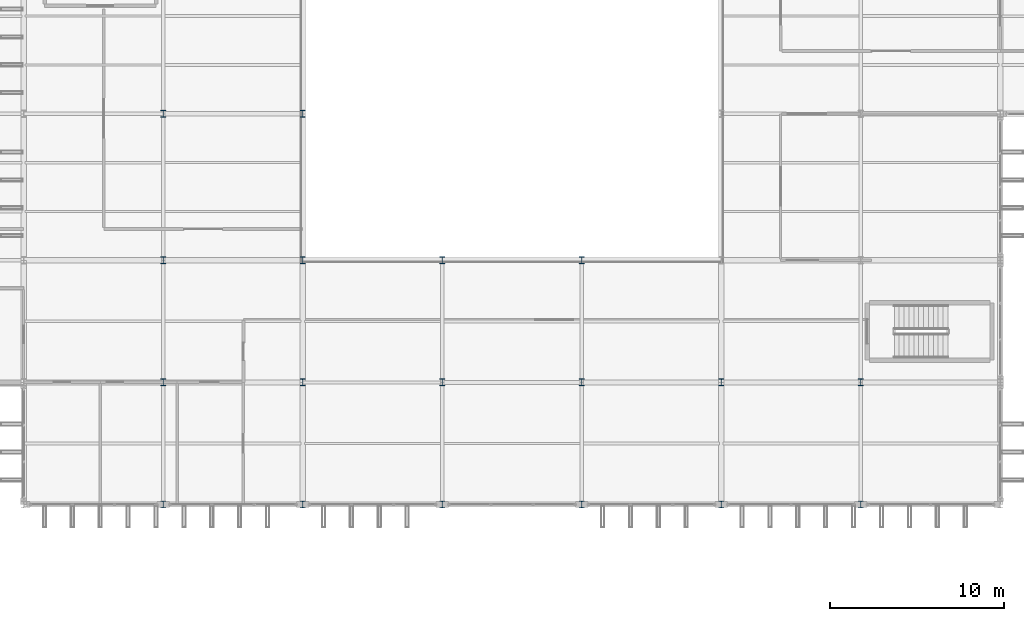
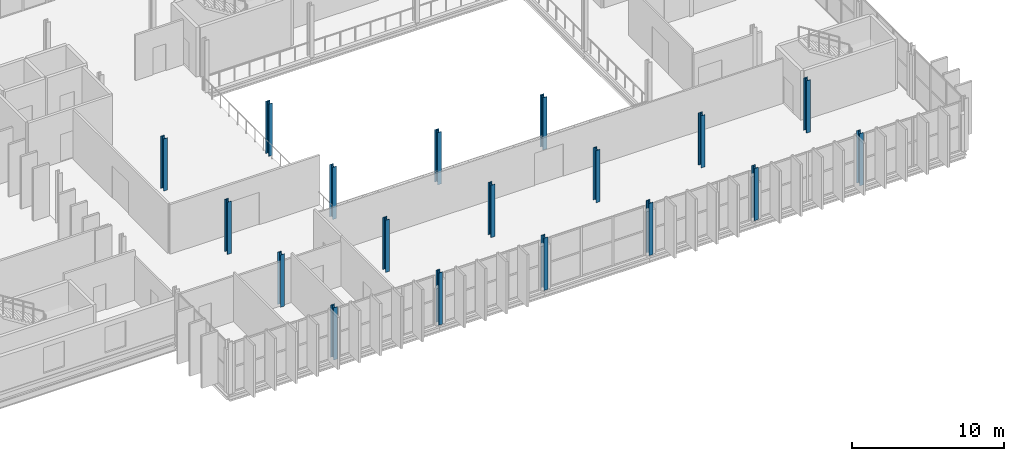
# One storey, part 5 of 101: 18 columns.
"""IFC4 building model written with IfcOpenShell, lengths in metres."""

from ifc_helpers import new_model, si_unit, direction, frame, origin, origin_2d, place, context, subcontext, project, spatial, i_section, extrude, material, material_profile, profile_set, type_object, element, save


model = new_model("IFC4")

# Units and contexts
model_context = context("Model", 3, precision=1e-05, world=origin(), true_north=direction((0.0, 1.0)))
body_context = subcontext(model_context, "Body", "Model", "MODEL_VIEW")
ifc_project = project(units=[si_unit("LENGTHUNIT", "METRE"), si_unit("AREAUNIT", "SQUARE_METRE"), si_unit("VOLUMEUNIT", "CUBIC_METRE"), si_unit("PLANEANGLEUNIT", "RADIAN"), si_unit("MASSUNIT", "GRAM", prefix="KILO")], contexts=[model_context])

# Site, building, storey
site_placement = place(None, origin())
site = spatial("IfcSite", under=ifc_project, at=site_placement, CompositionType="ELEMENT")
building_placement = place(site_placement, origin())
building = spatial("IfcBuilding", under=site, at=building_placement, Name="Vekula Escarpment Museum", CompositionType="ELEMENT")
storey_placement = place(building_placement, frame((0.0, 0.0, 18.0)))
storey = spatial("IfcBuildingStorey", under=building, at=storey_placement, Name="L04", CompositionType="ELEMENT", Elevation=18.0)

# Columns
ifc_material = material(Name="Steel S355", Category="steel")
ifc_material_profile = material_profile(ifc_material, i_section(OverallWidth=0.300048828125, OverallDepth=0.39990234375, WebThickness=0.013427734375, FlangeThickness=0.02392578125, FilletRadius=0.027099609375, at=origin_2d()), Name="HEB 400")
ifc_profile_set = profile_set([ifc_material_profile], Name="Steel S355")
column_type = type_object("IfcColumnType", Name="COL-S-HEB400", PredefinedType="COLUMN", material=ifc_profile_set)
for number, where, z_axis, x_axis, name in (
    (1, (78.0, 45.60009765625, 0.0), (0.0, 0.0, 1.0), (1.0, 0.0, 0.0), "Column L04 (78.0,45.6)"),
    (2, (78.0, 52.60009765625, 0.0), (0.0, 0.0, 1.0), (1.0, 0.0, 0.0), "Column L04 (78.0,52.6)"),
    (3, (78.0, 59.60009765625, 0.0), (0.0, 0.0, 1.0), (1.0, 0.0, 0.0), "Column L04 (78.0,59.6)"),
    (4, (78.0, 68.0, 0.0), (0.0, 0.0, 1.0), (1.0, 0.0, 0.0), "Column L04 (78.0,68.0)"),
    (5, (86.0, 45.60009765625, 0.0), (0.0, 0.0, 1.0), (1.0, 0.0, 0.0), "Column L04 (86.0,45.6)"),
    (6, (86.0, 52.60009765625, 0.0), (0.0, 0.0, 1.0), (1.0, 0.0, 0.0), "Column L04 (86.0,52.6)"),
    (7, (86.0, 59.60009765625, 0.0), (0.0, 0.0, 1.0), (1.0, 0.0, 0.0), "Column L04 (86.0,59.6)"),
    (8, (86.0, 68.0, 0.0), (0.0, 0.0, 1.0), (1.0, 0.0, 0.0), "Column L04 (86.0,68.0)"),
    (9, (94.0, 45.60009765625, 0.0), (0.0, 0.0, 1.0), (1.0, 0.0, 0.0), "Column L04 (94.0,45.6)"),
    (10, (94.0, 52.60009765625, 0.0), (0.0, 0.0, 1.0), (1.0, 0.0, 0.0), "Column L04 (94.0,52.6)"),
    (11, (94.0, 59.60009765625, 0.0), (0.0, 0.0, 1.0), (1.0, 0.0, 0.0), "Column L04 (94.0,59.6)"),
    (12, (102.0, 45.60009765625, 0.0), (0.0, 0.0, 1.0), (1.0, 0.0, 0.0), "Column L04 (102.0,45.6)"),
    (13, (102.0, 52.60009765625, 0.0), (0.0, 0.0, 1.0), (1.0, 0.0, 0.0), "Column L04 (102.0,52.6)"),
    (14, (102.0, 59.60009765625, 0.0), (0.0, 0.0, 1.0), (1.0, 0.0, 0.0), "Column L04 (102.0,59.6)"),
    (15, (110.0, 45.60009765625, 0.0), (0.0, 0.0, 1.0), (1.0, 0.0, 0.0), "Column L04 (110.0,45.6)"),
    (16, (110.0, 52.60009765625, 0.0), (0.0, 0.0, 1.0), (1.0, 0.0, 0.0), "Column L04 (110.0,52.6)"),
    (17, (118.0, 45.60009765625, 0.0), (0.0, 0.0, 1.0), (1.0, 0.0, 0.0), "Column L04 (118.0,45.6)"),
    (18, (118.0, 52.60009765625, 0.0), (0.0, 0.0, 1.0), (1.0, 0.0, 0.0), "Column L04 (118.0,52.6)"),
):
    element("IfcColumn", number, at=place(storey_placement, frame(where, z_axis=z_axis, x_axis=x_axis)), inside=storey, type_object=column_type, Name=name, PredefinedType="COLUMN", context=body_context, shape_type="SweptSolid", body=[
        extrude(i_section(OverallWidth=0.300048828125, OverallDepth=0.39990234375, WebThickness=0.013427734375, FlangeThickness=0.02392578125, FilletRadius=0.027099609375, at=origin_2d()), origin(), (0.0, 0.0, 1.0), 4.199951171875),
    ])

save(model, "model.ifc")
